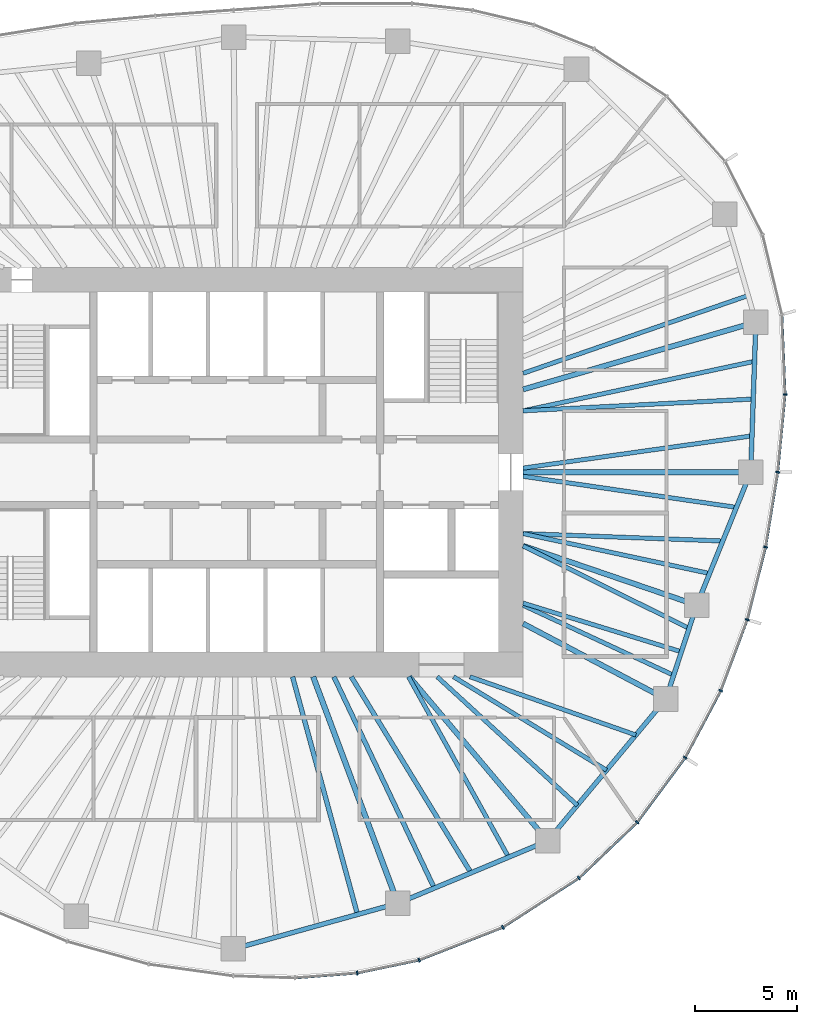
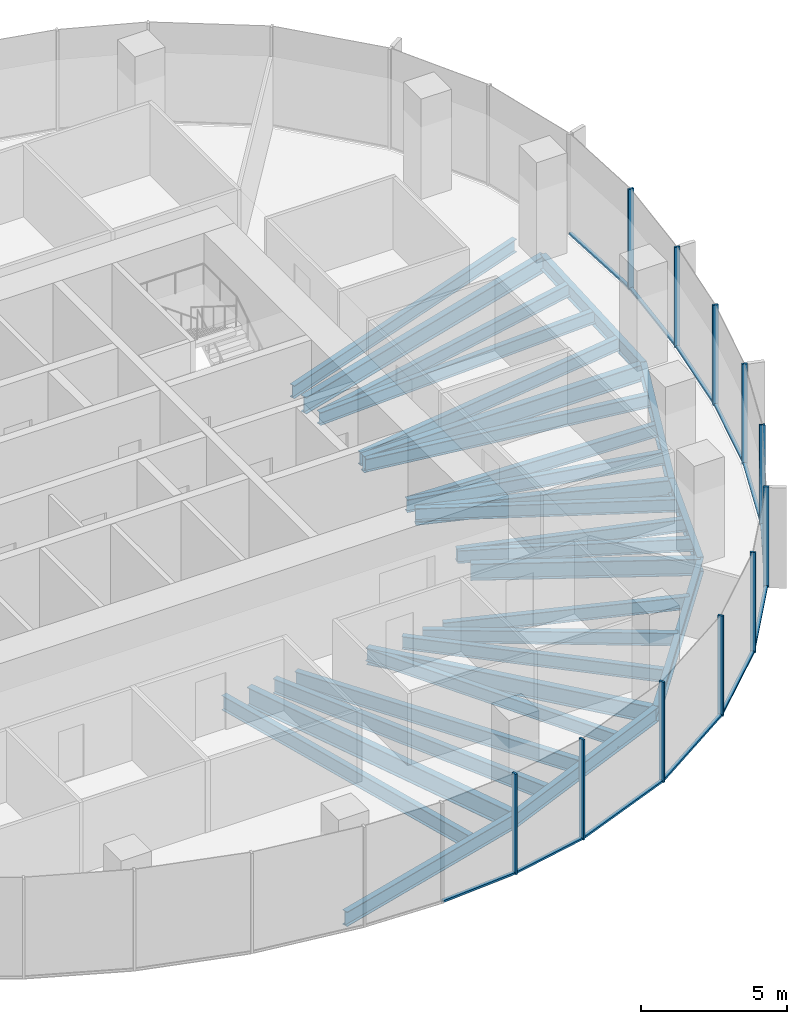
# One storey, part 4 of 12: 29 beams, 23 members, 6 elements without a shape of their own.
"""IFC4 building model written with IfcOpenShell, lengths in metres."""

from ifc_helpers import new_model, si_unit, direction, frame, origin, origin_2d, place, context, subcontext, project, spatial, rectangle, i_section, extrude, material, material_profile, profile_set, type_object, element, aggregate, save


model = new_model("IFC4")

# Units and contexts
model_context = context("Model", 3, precision=1e-05, world=origin(), true_north=direction((0.0, 1.0)))
body_context = subcontext(model_context, "Body", "Model", "MODEL_VIEW")
ifc_project = project(units=[si_unit("LENGTHUNIT", "METRE"), si_unit("AREAUNIT", "SQUARE_METRE"), si_unit("VOLUMEUNIT", "CUBIC_METRE"), si_unit("PLANEANGLEUNIT", "RADIAN"), si_unit("MASSUNIT", "GRAM", prefix="KILO")], contexts=[model_context])

# Site, building, storey
site_placement = place(None, origin())
site = spatial("IfcSite", under=ifc_project, at=site_placement, CompositionType="ELEMENT")
building_placement = place(site_placement, origin())
building = spatial("IfcBuilding", under=site, at=building_placement, Name="Ghaith Harvest Tower", CompositionType="ELEMENT")
storey_placement = place(building_placement, frame((0.0, 0.0, 253.60009765625)))
storey = spatial("IfcBuildingStorey", under=building, at=storey_placement, Name="L56", CompositionType="ELEMENT", Elevation=253.60009765625)

# Curtain wall, members
ifc_material_1 = material(Name="Black anodised aluminium and fritted glass", Category="aluminium")
curtain_wall_type = type_object("IfcCurtainWallType", Name="CW-H CURTAIN WALL", PredefinedType="NOTDEFINED", material=ifc_material_1)
curtain_wall_1_placement = place(storey_placement, origin())
curtain_wall_1 = element("IfcCurtainWall", 1, at=curtain_wall_1_placement, inside=storey, type_object=curtain_wall_type, Name="Curtain wall CW-H bay 01 L56", PredefinedType="NOTDEFINED")
ifc_material_2 = material(Name="Aluminium, black anodised", Category="aluminium")
ifc_material_profile_1 = material_profile(ifc_material_2, rectangle(XDim=0.080078125, YDim=0.199951171875, at=origin_2d()), Name="CW-H MULLION 80x200")
ifc_profile_set_1 = profile_set([ifc_material_profile_1], Name="Aluminium, black anodised")
member_type_1 = type_object("IfcMemberType", Name="CW-H MULLION 80x200", PredefinedType="MULLION", material=ifc_profile_set_1)
member_1_placement = place(storey_placement, frame((26.445068359375, 0.0, 0.0), z_axis=(0.0, 0.0, 1.0), x_axis=(0.126567624553, 0.991957981174, 0.0)))
member_1 = element("IfcMember", 2, at=member_1_placement, type_object=member_type_1, Name="CW-H mullion 1 bay 01 L56", PredefinedType="MULLION", context=body_context, shape_type="SweptSolid", body=[
    extrude(rectangle(XDim=0.080078125, YDim=0.199951171875, at=origin_2d()), origin(), (0.0, 0.0, 1.0), 4.199951171875),
])
member_2_placement = place(storey_placement, frame((26.804443359375, 3.7958984375, 0.0), z_axis=(0.0, 0.0, 1.0), x_axis=(0.026142797814, 0.999658218654, 0.0)))
member_2 = element("IfcMember", 3, at=member_2_placement, type_object=member_type_1, Name="CW-H mullion 2 bay 01 L56", PredefinedType="MULLION", context=body_context, shape_type="SweptSolid", body=[
    extrude(rectangle(XDim=0.080078125, YDim=0.199951171875, at=origin_2d()), origin(), (0.0, 0.0, 1.0), 4.199951171875),
])

# Curtain wall, member
curtain_wall_2_placement = place(storey_placement, origin())
curtain_wall_2 = element("IfcCurtainWall", 4, at=curtain_wall_2_placement, inside=storey, type_object=curtain_wall_type, Name="Curtain wall CW-H bay 16 L56", PredefinedType="NOTDEFINED")
member_3_placement = place(storey_placement, frame((5.893310546875, -24.48291015625, 0.0), z_axis=(0.0, 0.0, 1.0), x_axis=(0.989849191496, 0.142121701704, 0.0)))
member_3 = element("IfcMember", 5, at=member_3_placement, type_object=member_type_1, Name="CW-H mullion 3 bay 16 L56", PredefinedType="MULLION", context=body_context, shape_type="SweptSolid", body=[
    extrude(rectangle(XDim=0.080078125, YDim=0.199951171875, at=origin_2d()), origin(), (0.0, 0.0, 1.0), 4.199951171875),
])

# Curtain wall, members
curtain_wall_3_placement = place(storey_placement, origin())
curtain_wall_3 = element("IfcCurtainWall", 6, at=curtain_wall_3_placement, inside=storey, type_object=curtain_wall_type, Name="Curtain wall CW-H bay 17 L56", PredefinedType="NOTDEFINED")
member_4_placement = place(storey_placement, frame((8.916015625, -23.85009765625, 0.0), z_axis=(0.0, 0.0, 1.0), x_axis=(0.954029934434, 0.299711334793, 0.0)))
member_4 = element("IfcMember", 7, at=member_4_placement, type_object=member_type_1, Name="CW-H mullion 1 bay 17 L56", PredefinedType="MULLION", context=body_context, shape_type="SweptSolid", body=[
    extrude(rectangle(XDim=0.080078125, YDim=0.199951171875, at=origin_2d()), origin(), (0.0, 0.0, 1.0), 4.199951171875),
])
member_5_placement = place(storey_placement, frame((13.010009765625, -22.2470703125, 0.0), z_axis=(0.0, 0.0, 1.0), x_axis=(0.889568363425, 0.456802065225, 0.0)))
member_5 = element("IfcMember", 8, at=member_5_placement, type_object=member_type_1, Name="CW-H mullion 2 bay 17 L56", PredefinedType="MULLION", context=body_context, shape_type="SweptSolid", body=[
    extrude(rectangle(XDim=0.080078125, YDim=0.199951171875, at=origin_2d()), origin(), (0.0, 0.0, 1.0), 4.199951171875),
])

curtain_wall_4_placement = place(storey_placement, origin())
curtain_wall_4 = element("IfcCurtainWall", 9, at=curtain_wall_4_placement, inside=storey, type_object=curtain_wall_type, Name="Curtain wall CW-H bay 18 L56", PredefinedType="NOTDEFINED")
member_6_placement = place(storey_placement, frame((16.72900390625, -19.838134765625, 0.0), z_axis=(0.0, 0.0, 1.0), x_axis=(0.78784554071, 0.615872879727, 0.0)))
member_6 = element("IfcMember", 10, at=member_6_placement, type_object=member_type_1, Name="CW-H mullion 1 bay 18 L56", PredefinedType="MULLION", context=body_context, shape_type="SweptSolid", body=[
    extrude(rectangle(XDim=0.080078125, YDim=0.199951171875, at=origin_2d()), origin(), (0.0, 0.0, 1.0), 4.199951171875),
])
member_7_placement = place(storey_placement, frame((19.57421875, -17.11572265625, 0.0), z_axis=(0.0, 0.0, 1.0), x_axis=(0.661614965695, 0.749843741835, 0.0)))
member_7 = element("IfcMember", 11, at=member_7_placement, type_object=member_type_1, Name="CW-H mullion 2 bay 18 L56", PredefinedType="MULLION", context=body_context, shape_type="SweptSolid", body=[
    extrude(rectangle(XDim=0.080078125, YDim=0.199951171875, at=origin_2d()), origin(), (0.0, 0.0, 1.0), 4.199951171875),
])

curtain_wall_5_placement = place(storey_placement, origin())
curtain_wall_5 = element("IfcCurtainWall", 12, at=curtain_wall_5_placement, inside=storey, type_object=curtain_wall_type, Name="Curtain wall CW-H bay 19 L56", PredefinedType="NOTDEFINED")
member_8_placement = place(storey_placement, frame((21.922607421875, -13.951904296875, 0.0), z_axis=(0.0, 0.0, 1.0), x_axis=(0.535827198032, 0.844327669717, 0.0)))
member_8 = element("IfcMember", 13, at=member_8_placement, type_object=member_type_1, Name="CW-H mullion 1 bay 19 L56", PredefinedType="MULLION", context=body_context, shape_type="SweptSolid", body=[
    extrude(rectangle(XDim=0.080078125, YDim=0.199951171875, at=origin_2d()), origin(), (0.0, 0.0, 1.0), 4.199951171875),
])
member_9_placement = place(storey_placement, frame((23.658203125, -10.680419921875, 0.0), z_axis=(0.0, 0.0, 1.0), x_axis=(0.410429862351, 0.911892169114, 0.0)))
member_9 = element("IfcMember", 14, at=member_9_placement, type_object=member_type_1, Name="CW-H mullion 2 bay 19 L56", PredefinedType="MULLION", context=body_context, shape_type="SweptSolid", body=[
    extrude(rectangle(XDim=0.080078125, YDim=0.199951171875, at=origin_2d()), origin(), (0.0, 0.0, 1.0), 4.199951171875),
])

curtain_wall_6_placement = place(storey_placement, origin())
curtain_wall_6 = element("IfcCurtainWall", 15, at=curtain_wall_6_placement, inside=storey, type_object=curtain_wall_type, Name="Curtain wall CW-H bay 20 L56", PredefinedType="NOTDEFINED")
member_10_placement = place(storey_placement, frame((24.955810546875, -7.212890625, 0.0), z_axis=(0.0, 0.0, 1.0), x_axis=(0.298441625478, 0.954427889462, 0.0)))
member_10 = element("IfcMember", 16, at=member_10_placement, type_object=member_type_1, Name="CW-H mullion 1 bay 20 L56", PredefinedType="MULLION", context=body_context, shape_type="SweptSolid", body=[
    extrude(rectangle(XDim=0.080078125, YDim=0.199951171875, at=origin_2d()), origin(), (0.0, 0.0, 1.0), 4.199951171875),
])
member_11_placement = place(storey_placement, frame((25.85302734375, -3.6611328125, 0.0), z_axis=(0.0, 0.0, 1.0), x_axis=(0.202192370647, 0.979345825157, 0.0)))
member_11 = element("IfcMember", 17, at=member_11_placement, type_object=member_type_1, Name="CW-H mullion 2 bay 20 L56", PredefinedType="MULLION", context=body_context, shape_type="SweptSolid", body=[
    extrude(rectangle(XDim=0.080078125, YDim=0.199951171875, at=origin_2d()), origin(), (0.0, 0.0, 1.0), 4.199951171875),
])

# Member
ifc_material_3 = material(Name="Aluminium, black anodised", Category="aluminium")
ifc_material_profile_2 = material_profile(ifc_material_3, rectangle(XDim=0.1298828125, YDim=0.080078125, at=origin_2d()), Name="CW-H TRANSOM 130x80")
ifc_profile_set_2 = profile_set([ifc_material_profile_2], Name="Aluminium, black anodised")
member_type_2 = type_object("IfcMemberType", Name="CW-H TRANSOM 130x80", PredefinedType="USERDEFINED", material=ifc_profile_set_2)
member_12_placement = place(storey_placement, frame((26.44873046875, 0.039794921875, 0.039794921875), z_axis=(0.094309089207, 0.995542965267, 0.0), x_axis=(-0.995542965267, 0.094309089207, 0.0)))
member_12 = element("IfcMember", 18, at=member_12_placement, type_object=member_type_2, Name="CW-H transom 1 bay 01 L56", ObjectType="TRANSOM", PredefinedType="USERDEFINED", context=body_context, shape_type="SweptSolid", body=[
    extrude(rectangle(XDim=0.1298828125, YDim=0.080078125, at=origin_2d()), origin(), (0.0, 0.0, 1.0), 3.73291015625),
])

member_13_placement = place(storey_placement, frame((26.802978515625, 3.8359375, 0.039794921875), z_axis=(-0.040492641284, 0.999179836667, 0.0), x_axis=(-0.999179836667, -0.040492641284, 0.0)))
member_13 = element("IfcMember", 19, at=member_13_placement, type_object=member_type_2, Name="CW-H transom 2 bay 01 L56", ObjectType="TRANSOM", PredefinedType="USERDEFINED", context=body_context, shape_type="SweptSolid", body=[
    extrude(rectangle(XDim=0.1298828125, YDim=0.080078125, at=origin_2d()), origin(), (0.0, 0.0, 1.0), 3.82861328125),
])

aggregate(curtain_wall_1, [member_1, member_12, member_2, member_13])

member_14_placement = place(storey_placement, frame((2.8876953125, -24.71826171875, 0.039794921875), z_axis=(0.996949781933, 0.078045706505, 0.0), x_axis=(-0.078045706505, 0.996949781933, 0.0)))
member_14 = element("IfcMember", 20, at=member_14_placement, type_object=member_type_2, Name="CW-H transom 2 bay 16 L56", ObjectType="TRANSOM", PredefinedType="USERDEFINED", context=body_context, shape_type="SweptSolid", body=[
    extrude(rectangle(XDim=0.1298828125, YDim=0.080078125, at=origin_2d()), origin(), (0.0, 0.0, 1.0), 2.974853515625),
])

member_15_placement = place(storey_placement, frame((5.932373046875, -24.474609375, 0.039794921875), z_axis=(0.978797058213, 0.204832416461, 0.0), x_axis=(-0.204832416461, 0.978797058213, 0.0)))
member_15 = element("IfcMember", 21, at=member_15_placement, type_object=member_type_2, Name="CW-H transom 3 bay 16 L56", ObjectType="TRANSOM", PredefinedType="USERDEFINED", context=body_context, shape_type="SweptSolid", body=[
    extrude(rectangle(XDim=0.1298828125, YDim=0.080078125, at=origin_2d()), origin(), (0.0, 0.0, 1.0), 3.00830078125),
])

aggregate(curtain_wall_2, [member_14, member_3, member_15])

member_16_placement = place(storey_placement, frame((8.953369140625, -23.835693359375, 0.039794921875), z_axis=(0.931147615871, 0.364642451529, 0.0), x_axis=(-0.364642451529, 0.931147615871, 0.0)))
member_16 = element("IfcMember", 22, at=member_16_placement, type_object=member_type_2, Name="CW-H transom 1 bay 17 L56", ObjectType="TRANSOM", PredefinedType="USERDEFINED", context=body_context, shape_type="SweptSolid", body=[
    extrude(rectangle(XDim=0.1298828125, YDim=0.080078125, at=origin_2d()), origin(), (0.0, 0.0, 1.0), 4.31640625),
])

member_17_placement = place(storey_placement, frame((13.04345703125, -22.225341796875, 0.039794921875), z_axis=(0.839306610985, 0.543658360331, 0.0), x_axis=(-0.543658360331, 0.839306610985, 0.0)))
member_17 = element("IfcMember", 23, at=member_17_placement, type_object=member_type_2, Name="CW-H transom 2 bay 17 L56", ObjectType="TRANSOM", PredefinedType="USERDEFINED", context=body_context, shape_type="SweptSolid", body=[
    extrude(rectangle(XDim=0.1298828125, YDim=0.080078125, at=origin_2d()), origin(), (0.0, 0.0, 1.0), 4.35107421875),
])

aggregate(curtain_wall_3, [member_4, member_16, member_5, member_17])

member_18_placement = place(storey_placement, frame((16.7578125, -19.810546875, 0.039794921875), z_axis=(0.722533278657, 0.691336141998, 0.0), x_axis=(-0.691336141998, 0.722533278657, 0.0)))
member_18 = element("IfcMember", 24, at=member_18_placement, type_object=member_type_2, Name="CW-H transom 1 bay 18 L56", ObjectType="TRANSOM", PredefinedType="USERDEFINED", context=body_context, shape_type="SweptSolid", body=[
    extrude(rectangle(XDim=0.1298828125, YDim=0.080078125, at=origin_2d()), origin(), (0.0, 0.0, 1.0), 3.858154296875),
])

member_19_placement = place(storey_placement, frame((19.59814453125, -17.083740234375, 0.039794921875), z_axis=(0.595995597074, 0.802987701194, 0.0), x_axis=(-0.802987701194, 0.595995597074, 0.0)))
member_19 = element("IfcMember", 25, at=member_19_placement, type_object=member_type_2, Name="CW-H transom 2 bay 18 L56", ObjectType="TRANSOM", PredefinedType="USERDEFINED", context=body_context, shape_type="SweptSolid", body=[
    extrude(rectangle(XDim=0.1298828125, YDim=0.080078125, at=origin_2d()), origin(), (0.0, 0.0, 1.0), 3.8603515625),
])

aggregate(curtain_wall_4, [member_6, member_18, member_7, member_19])

member_20_placement = place(storey_placement, frame((21.94140625, -13.91650390625, 0.039794921875), z_axis=(0.468646057757, 0.883386026915, 0.0), x_axis=(-0.883386026915, 0.468646057757, 0.0)))
member_20 = element("IfcMember", 26, at=member_20_placement, type_object=member_type_2, Name="CW-H transom 1 bay 19 L56", ObjectType="TRANSOM", PredefinedType="USERDEFINED", context=body_context, shape_type="SweptSolid", body=[
    extrude(rectangle(XDim=0.1298828125, YDim=0.080078125, at=origin_2d()), origin(), (0.0, 0.0, 1.0), 3.623291015625),
])

member_21_placement = place(storey_placement, frame((23.672119140625, -10.64306640625, 0.039794921875), z_axis=(0.350510368091, 0.936558851253, 0.0), x_axis=(-0.936558851253, 0.350510368091, 0.0)))
member_21 = element("IfcMember", 27, at=member_21_placement, type_object=member_type_2, Name="CW-H transom 2 bay 19 L56", ObjectType="TRANSOM", PredefinedType="USERDEFINED", context=body_context, shape_type="SweptSolid", body=[
    extrude(rectangle(XDim=0.1298828125, YDim=0.080078125, at=origin_2d()), origin(), (0.0, 0.0, 1.0), 3.62255859375),
])

aggregate(curtain_wall_5, [member_8, member_20, member_9, member_21])

member_22_placement = place(storey_placement, frame((24.965576171875, -7.174072265625, 0.039794921875), z_axis=(0.244939588347, 0.969538342749, 0.0), x_axis=(-0.969538342749, 0.244939588347, 0.0)))
member_22 = element("IfcMember", 28, at=member_22_placement, type_object=member_type_2, Name="CW-H transom 1 bay 20 L56", ObjectType="TRANSOM", PredefinedType="USERDEFINED", context=body_context, shape_type="SweptSolid", body=[
    extrude(rectangle(XDim=0.1298828125, YDim=0.080078125, at=origin_2d()), origin(), (0.0, 0.0, 1.0), 3.583251953125),
])

member_23_placement = place(storey_placement, frame((25.859375, -3.62158203125, 0.039794921875), z_axis=(0.159661845696, 0.987171765717, 0.0), x_axis=(-0.987171765717, 0.159661845696, 0.0)))
member_23 = element("IfcMember", 29, at=member_23_placement, type_object=member_type_2, Name="CW-H transom 2 bay 20 L56", ObjectType="TRANSOM", PredefinedType="USERDEFINED", context=body_context, shape_type="SweptSolid", body=[
    extrude(rectangle(XDim=0.1298828125, YDim=0.080078125, at=origin_2d()), origin(), (0.0, 0.0, 1.0), 3.628662109375),
])

aggregate(curtain_wall_6, [member_10, member_22, member_11, member_23])

# Beams
ifc_material_4 = material(Name="Steel ASTM A992 Grade 50", Category="steel")
ifc_material_profile_3 = material_profile(ifc_material_4, i_section(OverallWidth=0.22900390625, OverallDepth=0.612060546875, WebThickness=0.011962890625, FlangeThickness=0.01953125, at=origin_2d()), Name="W610X125")
ifc_profile_set_3 = profile_set([ifc_material_profile_3], Name="Steel ASTM A992 Grade 50")
beam_type_1 = type_object("IfcBeamType", Name="E610-125 W610X125", PredefinedType="SPANDREL", material=ifc_profile_set_3)
beam_1_placement = place(storey_placement, frame((25.125, 0.0, -0.47607421875), z_axis=(0.03446227584, 0.999405999354, 0.0), x_axis=(-0.999405999354, 0.03446227584, 0.0)))
element("IfcBeam", 30, at=beam_1_placement, inside=storey, type_object=beam_type_1, Name="Edge beam E01 L56", PredefinedType="SPANDREL", context=body_context, shape_type="SweptSolid", body=[
    extrude(i_section(OverallWidth=0.22900390625, OverallDepth=0.612060546875, WebThickness=0.011962890625, FlangeThickness=0.01953125, at=origin_2d()), origin(), (0.0, 0.0, 1.0), 7.33935546875),
])
beam_2_placement = place(storey_placement, frame((-0.158935546875, -23.304931640625, -0.47607421875), z_axis=(0.963504070594, 0.267693679323, 0.0), x_axis=(-0.267693679323, 0.963504070594, 0.0)))
element("IfcBeam", 31, at=beam_2_placement, inside=storey, type_object=beam_type_1, Name="Edge beam E16 L56", PredefinedType="SPANDREL", context=body_context, shape_type="SweptSolid", body=[
    extrude(i_section(OverallWidth=0.22900390625, OverallDepth=0.612060546875, WebThickness=0.011962890625, FlangeThickness=0.01953125, at=origin_2d()), origin(), (0.0, 0.0, 1.0), 8.34130859375),
])
beam_3_placement = place(storey_placement, frame((7.8779296875, -21.072021484375, -0.47607421875), z_axis=(0.923119729219, 0.384512633766, 0.0), x_axis=(-0.384512633766, 0.923119729219, 0.0)))
element("IfcBeam", 32, at=beam_3_placement, inside=storey, type_object=beam_type_1, Name="Edge beam E17 L56", PredefinedType="SPANDREL", context=body_context, shape_type="SweptSolid", body=[
    extrude(i_section(OverallWidth=0.22900390625, OverallDepth=0.612060546875, WebThickness=0.011962890625, FlangeThickness=0.01953125, at=origin_2d()), origin(), (0.0, 0.0, 1.0), 7.9296875),
])
beam_4_placement = place(storey_placement, frame((15.197998046875, -18.02294921875, -0.47607421875), z_axis=(0.640173759088, 0.76823014662, 0.0), x_axis=(-0.76823014662, 0.640173759088, 0.0)))
element("IfcBeam", 33, at=beam_4_placement, inside=storey, type_object=beam_type_1, Name="Edge beam E18 L56", PredefinedType="SPANDREL", context=body_context, shape_type="SweptSolid", body=[
    extrude(i_section(OverallWidth=0.22900390625, OverallDepth=0.612060546875, WebThickness=0.011962890625, FlangeThickness=0.01953125, at=origin_2d()), origin(), (0.0, 0.0, 1.0), 9.02734375),
])
beam_5_placement = place(storey_placement, frame((20.97705078125, -11.087890625, -0.47607421875), z_axis=(0.312206727278, 0.950014189074, 0.0), x_axis=(-0.950014189074, 0.312206727278, 0.0)))
element("IfcBeam", 34, at=beam_5_placement, inside=storey, type_object=beam_type_1, Name="Edge beam E19 L56", PredefinedType="SPANDREL", context=body_context, shape_type="SweptSolid", body=[
    extrude(i_section(OverallWidth=0.22900390625, OverallDepth=0.612060546875, WebThickness=0.011962890625, FlangeThickness=0.01953125, at=origin_2d()), origin(), (0.0, 0.0, 1.0), 4.830322265625),
])
beam_6_placement = place(storey_placement, frame((22.485107421875, -6.4990234375, -0.47607421875), z_axis=(0.376335970246, 0.926483263475, 0.0), x_axis=(-0.926483263475, 0.376335970246, 0.0)))
element("IfcBeam", 35, at=beam_6_placement, inside=storey, type_object=beam_type_1, Name="Edge beam E20 L56", PredefinedType="SPANDREL", context=body_context, shape_type="SweptSolid", body=[
    extrude(i_section(OverallWidth=0.22900390625, OverallDepth=0.612060546875, WebThickness=0.011962890625, FlangeThickness=0.01953125, at=origin_2d()), origin(), (0.0, 0.0, 1.0), 7.0146484375),
])
ifc_material_5 = material(Name="Steel ASTM A992 Grade 50", Category="steel")
ifc_material_profile_4 = material_profile(ifc_material_5, i_section(OverallWidth=0.256103515625, OverallDepth=0.693115234375, WebThickness=0.014404296875, FlangeThickness=0.023681640625, at=origin_2d()), Name="W690X170")
ifc_profile_set_4 = profile_set([ifc_material_profile_4], Name="Steel ASTM A992 Grade 50")
beam_type_2 = type_object("IfcBeamType", Name="G690-170 W690X170", PredefinedType="BEAM", material=ifc_profile_set_4)
beam_7_placement = place(storey_placement, frame((14.0, 0.0, -0.5166015625), z_axis=(1.0, 0.0, 0.0), x_axis=(0.0, 1.0, 0.0)))
element("IfcBeam", 36, at=beam_7_placement, inside=storey, type_object=beam_type_2, Name="Radial girder G01 L56", PredefinedType="BEAM", context=body_context, shape_type="SweptSolid", body=[
    extrude(i_section(OverallWidth=0.256103515625, OverallDepth=0.693115234375, WebThickness=0.014404296875, FlangeThickness=0.023681640625, at=origin_2d()), origin(), (0.0, 0.0, 1.0), 11.125),
])
beam_8_placement = place(storey_placement, frame((14.0, 4.04638671875, -0.5166015625), z_axis=(0.960677776578, 0.277665643518, 0.0), x_axis=(-0.277665643518, 0.960677776578, 0.0)))
element("IfcBeam", 37, at=beam_8_placement, inside=storey, type_object=beam_type_2, Name="Radial girder G02 L56", PredefinedType="BEAM", context=body_context, shape_type="SweptSolid", body=[
    extrude(i_section(OverallWidth=0.256103515625, OverallDepth=0.693115234375, WebThickness=0.014404296875, FlangeThickness=0.023681640625, at=origin_2d()), origin(), (0.0, 0.0, 1.0), 11.84375),
])
beam_9_placement = place(storey_placement, frame((8.4326171875, -10.0, -0.5166015625), z_axis=(0.644649240595, -0.764478486682, 0.0), x_axis=(0.764478486682, 0.644649240595, 0.0)))
element("IfcBeam", 38, at=beam_9_placement, inside=storey, type_object=beam_type_2, Name="Radial girder G18 L56", PredefinedType="BEAM", context=body_context, shape_type="SweptSolid", body=[
    extrude(i_section(OverallWidth=0.256103515625, OverallDepth=0.693115234375, WebThickness=0.014404296875, FlangeThickness=0.023681640625, at=origin_2d()), origin(), (0.0, 0.0, 1.0), 10.49462890625),
])
beam_10_placement = place(storey_placement, frame((14.0, -7.39990234375, -0.5166015625), z_axis=(0.884088732293, -0.467319070264, 0.0), x_axis=(0.467319070264, 0.884088732293, 0.0)))
element("IfcBeam", 39, at=beam_10_placement, inside=storey, type_object=beam_type_2, Name="Radial girder G19 L56", PredefinedType="BEAM", context=body_context, shape_type="SweptSolid", body=[
    extrude(i_section(OverallWidth=0.256103515625, OverallDepth=0.693115234375, WebThickness=0.014404296875, FlangeThickness=0.023681640625, at=origin_2d()), origin(), (0.0, 0.0, 1.0), 7.891845703125),
])
beam_11_placement = place(storey_placement, frame((14.0, -3.60009765625, -0.5166015625), z_axis=(0.94629622913, -0.323300861018, 0.0), x_axis=(0.323300861018, 0.94629622913, 0.0)))
element("IfcBeam", 40, at=beam_11_placement, inside=storey, type_object=beam_type_2, Name="Radial girder G20 L56", PredefinedType="BEAM", context=body_context, shape_type="SweptSolid", body=[
    extrude(i_section(OverallWidth=0.256103515625, OverallDepth=0.693115234375, WebThickness=0.014404296875, FlangeThickness=0.023681640625, at=origin_2d()), origin(), (0.0, 0.0, 1.0), 8.966552734375),
])
ifc_material_6 = material(Name="Steel ASTM A992 Grade 50", Category="steel")
ifc_material_profile_5 = material_profile(ifc_material_6, i_section(OverallWidth=0.26806640625, OverallDepth=0.77001953125, WebThickness=0.015625, FlangeThickness=0.025390625, at=origin_2d()), Name="W760X196")
ifc_profile_set_5 = profile_set([ifc_material_profile_5], Name="Steel ASTM A992 Grade 50")
beam_type_3 = type_object("IfcBeamType", Name="G760-196 W760X196", PredefinedType="BEAM", material=ifc_profile_set_5)
beam_12_placement = place(storey_placement, frame((3.73828125, -10.0, -0.55517578125), z_axis=(0.350206582147, -0.936672488024, 0.0), x_axis=(0.936672488024, 0.350206582147, 0.0)))
element("IfcBeam", 41, at=beam_12_placement, inside=storey, type_object=beam_type_3, Name="Radial girder G17 L56", PredefinedType="BEAM", context=body_context, shape_type="SweptSolid", body=[
    extrude(i_section(OverallWidth=0.26806640625, OverallDepth=0.77001953125, WebThickness=0.015625, FlangeThickness=0.025390625, at=origin_2d()), origin(), (0.0, 0.0, 1.0), 11.820556640625),
])
ifc_material_7 = material(Name="Steel ASTM A992 Grade 50", Category="steel")
ifc_material_profile_6 = material_profile(ifc_material_7, i_section(OverallWidth=0.2109375, OverallDepth=0.5390625, WebThickness=0.01171875, FlangeThickness=0.018798828125, at=origin_2d()), Name="W530X109")
ifc_profile_set_6 = profile_set([ifc_material_profile_6], Name="Steel ASTM A992 Grade 50")
beam_type_4 = type_object("IfcBeamType", Name="J530-109 W530X109", PredefinedType="JOIST", material=ifc_profile_set_6)
beam_13_placement = place(storey_placement, frame((14.0, 0.199951171875, -0.439697265625), z_axis=(0.990239574724, 0.139375696052, 0.0), x_axis=(-0.139375696052, 0.990239574724, 0.0)))
element("IfcBeam", 42, at=beam_13_placement, inside=storey, type_object=beam_type_4, Name="Joist J01.1 L56", PredefinedType="JOIST", context=body_context, shape_type="SweptSolid", body=[
    extrude(i_section(OverallWidth=0.2109375, OverallDepth=0.5390625, WebThickness=0.01171875, FlangeThickness=0.018798828125, at=origin_2d()), origin(), (0.0, 0.0, 1.0), 11.296630859375),
])
beam_14_placement = place(storey_placement, frame((14.0, 3.0, -0.439697265625), z_axis=(0.998693995267, 0.051091132482, 0.0), x_axis=(-0.051091132482, 0.998693995267, 0.0)))
element("IfcBeam", 43, at=beam_14_placement, inside=storey, type_object=beam_type_4, Name="Joist J01.2 L56", PredefinedType="JOIST", context=body_context, shape_type="SweptSolid", body=[
    extrude(i_section(OverallWidth=0.2109375, OverallDepth=0.5390625, WebThickness=0.01171875, FlangeThickness=0.018798828125, at=origin_2d()), origin(), (0.0, 0.0, 1.0), 11.262939453125),
])
beam_15_placement = place(storey_placement, frame((14.0, 3.0, -0.439697265625), z_axis=(0.977840076912, 0.209353251672, 0.0), x_axis=(-0.209353251672, 0.977840076912, 0.0)))
element("IfcBeam", 44, at=beam_15_placement, inside=storey, type_object=beam_type_4, Name="Joist J01.3 L56", PredefinedType="JOIST", context=body_context, shape_type="SweptSolid", body=[
    extrude(i_section(OverallWidth=0.2109375, OverallDepth=0.5390625, WebThickness=0.01171875, FlangeThickness=0.018798828125, at=origin_2d()), origin(), (0.0, 0.0, 1.0), 11.568359375),
])
beam_16_placement = place(storey_placement, frame((14.0, 4.835693359375, -0.439697265625), z_axis=(0.945202328042, 0.326485159025, 0.0), x_axis=(-0.326485159025, 0.945202328042, 0.0)))
element("IfcBeam", 45, at=beam_16_placement, inside=storey, type_object=beam_type_4, Name="Joist J02.1 L56", PredefinedType="JOIST", context=body_context, shape_type="SweptSolid", body=[
    extrude(i_section(OverallWidth=0.2109375, OverallDepth=0.5390625, WebThickness=0.01171875, FlangeThickness=0.018798828125, at=origin_2d()), origin(), (0.0, 0.0, 1.0), 11.63916015625),
])
beam_17_placement = place(storey_placement, frame((8.39990234375, -10.0, -0.439697265625), z_axis=(0.484919107871, -0.874559008199, 0.0), x_axis=(0.874559008199, 0.484919107871, 0.0)))
element("IfcBeam", 46, at=beam_17_placement, inside=storey, type_object=beam_type_4, Name="Joist J17.3 L56", PredefinedType="JOIST", context=body_context, shape_type="SweptSolid", body=[
    extrude(i_section(OverallWidth=0.2109375, OverallDepth=0.5390625, WebThickness=0.01171875, FlangeThickness=0.018798828125, at=origin_2d()), origin(), (0.0, 0.0, 1.0), 10.0830078125),
])
beam_18_placement = place(storey_placement, frame((9.800048828125, -10.0, -0.439697265625), z_axis=(0.736998187228, -0.675894719629, 0.0), x_axis=(0.675894719629, 0.736998187228, 0.0)))
element("IfcBeam", 47, at=beam_18_placement, inside=storey, type_object=beam_type_4, Name="Joist J18.1 L56", PredefinedType="JOIST", context=body_context, shape_type="SweptSolid", body=[
    extrude(i_section(OverallWidth=0.2109375, OverallDepth=0.5390625, WebThickness=0.01171875, FlangeThickness=0.018798828125, at=origin_2d()), origin(), (0.0, 0.0, 1.0), 9.293701171875),
])
beam_19_placement = place(storey_placement, frame((14.0, -3.0, -0.439697265625), z_axis=(0.977841497168, -0.209346617877, 0.0), x_axis=(0.209346617877, 0.977841497168, 0.0)))
element("IfcBeam", 48, at=beam_19_placement, inside=storey, type_object=beam_type_4, Name="Joist J20.1 L56", PredefinedType="JOIST", context=body_context, shape_type="SweptSolid", body=[
    extrude(i_section(OverallWidth=0.2109375, OverallDepth=0.5390625, WebThickness=0.01171875, FlangeThickness=0.018798828125, at=origin_2d()), origin(), (0.0, 0.0, 1.0), 9.3203125),
])
beam_20_placement = place(storey_placement, frame((14.0, -3.0, -0.439697265625), z_axis=(0.999303105315, -0.037326983644, 0.0), x_axis=(0.037326983644, 0.999303105315, 0.0)))
element("IfcBeam", 49, at=beam_20_placement, inside=storey, type_object=beam_type_4, Name="Joist J20.2 L56", PredefinedType="JOIST", context=body_context, shape_type="SweptSolid", body=[
    extrude(i_section(OverallWidth=0.2109375, OverallDepth=0.5390625, WebThickness=0.01171875, FlangeThickness=0.018798828125, at=origin_2d()), origin(), (0.0, 0.0, 1.0), 9.76513671875),
])
beam_21_placement = place(storey_placement, frame((14.0, -0.199951171875, -0.439697265625), z_axis=(0.989525259022, -0.144359834294, 0.0), x_axis=(0.144359834294, 0.989525259022, 0.0)))
element("IfcBeam", 50, at=beam_21_placement, inside=storey, type_object=beam_type_4, Name="Joist J20.3 L56", PredefinedType="JOIST", context=body_context, shape_type="SweptSolid", body=[
    extrude(i_section(OverallWidth=0.2109375, OverallDepth=0.5390625, WebThickness=0.01171875, FlangeThickness=0.018798828125, at=origin_2d()), origin(), (0.0, 0.0, 1.0), 10.5361328125),
])
ifc_material_8 = material(Name="Steel ASTM A992 Grade 50", Category="steel")
ifc_material_profile_7 = material_profile(ifc_material_8, i_section(OverallWidth=0.208984375, OverallDepth=0.532958984375, WebThickness=0.01025390625, FlangeThickness=0.015625, at=origin_2d()), Name="W530X92")
ifc_profile_set_7 = profile_set([ifc_material_profile_7], Name="Steel ASTM A992 Grade 50")
beam_type_5 = type_object("IfcBeamType", Name="J530-92 W530X92", PredefinedType="JOIST", material=ifc_profile_set_7)
beam_22_placement = place(storey_placement, frame((10.60009765625, -10.0, -0.4365234375), z_axis=(0.853467052113, -0.521146803654, 0.0), x_axis=(0.521146803654, 0.853467052113, 0.0)))
element("IfcBeam", 51, at=beam_22_placement, inside=storey, type_object=beam_type_5, Name="Joist J18.2 L56", PredefinedType="JOIST", context=body_context, shape_type="SweptSolid", body=[
    extrude(i_section(OverallWidth=0.208984375, OverallDepth=0.532958984375, WebThickness=0.01025390625, FlangeThickness=0.015625, at=origin_2d()), origin(), (0.0, 0.0, 1.0), 8.76220703125),
])
beam_23_placement = place(storey_placement, frame((11.39990234375, -10.0, -0.4365234375), z_axis=(0.943605274188, -0.331072630285, 0.0), x_axis=(0.331072630285, 0.943605274188, 0.0)))
element("IfcBeam", 52, at=beam_23_placement, inside=storey, type_object=beam_type_5, Name="Joist J18.3 L56", PredefinedType="JOIST", context=body_context, shape_type="SweptSolid", body=[
    extrude(i_section(OverallWidth=0.208984375, OverallDepth=0.532958984375, WebThickness=0.01025390625, FlangeThickness=0.015625, at=origin_2d()), origin(), (0.0, 0.0, 1.0), 8.596923828125),
])
beam_24_placement = place(storey_placement, frame((14.0, -6.506103515625, -0.4365234375), z_axis=(0.906865270415, -0.421420670251, 0.0), x_axis=(0.421420670251, 0.906865270415, 0.0)))
element("IfcBeam", 53, at=beam_24_placement, inside=storey, type_object=beam_type_5, Name="Joist J19.1 L56", PredefinedType="JOIST", context=body_context, shape_type="SweptSolid", body=[
    extrude(i_section(OverallWidth=0.208984375, OverallDepth=0.532958984375, WebThickness=0.01025390625, FlangeThickness=0.015625, at=origin_2d()), origin(), (0.0, 0.0, 1.0), 8.11474609375),
])
beam_25_placement = place(storey_placement, frame((14.0, -6.39990234375, -0.4365234375), z_axis=(0.955870927609, -0.293786946192, 0.0), x_axis=(0.293786946192, 0.955870927609, 0.0)))
element("IfcBeam", 54, at=beam_25_placement, inside=storey, type_object=beam_type_5, Name="Joist J19.2 L56", PredefinedType="JOIST", context=body_context, shape_type="SweptSolid", body=[
    extrude(i_section(OverallWidth=0.208984375, OverallDepth=0.532958984375, WebThickness=0.01025390625, FlangeThickness=0.015625, at=origin_2d()), origin(), (0.0, 0.0, 1.0), 8.09326171875),
])
beam_26_placement = place(storey_placement, frame((14.0, -3.60009765625, -0.4365234375), z_axis=(0.89523949078, -0.445585293909, 0.0), x_axis=(0.445585293909, 0.89523949078, 0.0)))
element("IfcBeam", 55, at=beam_26_placement, inside=storey, type_object=beam_type_5, Name="Joist J19.3 L56", PredefinedType="JOIST", context=body_context, shape_type="SweptSolid", body=[
    extrude(i_section(OverallWidth=0.208984375, OverallDepth=0.532958984375, WebThickness=0.01025390625, FlangeThickness=0.015625, at=origin_2d()), origin(), (0.0, 0.0, 1.0), 9.060302734375),
])
ifc_material_9 = material(Name="Steel ASTM A992 Grade 50", Category="steel")
ifc_material_profile_8 = material_profile(ifc_material_9, i_section(OverallWidth=0.22900390625, OverallDepth=0.612060546875, WebThickness=0.011962890625, FlangeThickness=0.01953125, at=origin_2d()), Name="W610X125")
ifc_profile_set_8 = profile_set([ifc_material_profile_8], Name="Steel ASTM A992 Grade 50")
beam_type_6 = type_object("IfcBeamType", Name="J610-125 W610X125", PredefinedType="JOIST", material=ifc_profile_set_8)
beam_27_placement = place(storey_placement, frame((2.73095703125, -10.0, -0.47607421875), z_axis=(0.263456947705, -0.964671154698, 0.0), x_axis=(0.964671154698, 0.263456947705, 0.0)))
element("IfcBeam", 56, at=beam_27_placement, inside=storey, type_object=beam_type_6, Name="Joist J16.3 L56", PredefinedType="JOIST", context=body_context, shape_type="SweptSolid", body=[
    extrude(i_section(OverallWidth=0.22900390625, OverallDepth=0.612060546875, WebThickness=0.011962890625, FlangeThickness=0.01953125, at=origin_2d()), origin(), (0.0, 0.0, 1.0), 12.0458984375),
])
beam_28_placement = place(storey_placement, frame((4.75, -10.0, -0.47607421875), z_axis=(0.429080762264, -0.90326612881, 0.0), x_axis=(0.90326612881, 0.429080762264, 0.0)))
element("IfcBeam", 57, at=beam_28_placement, inside=storey, type_object=beam_type_6, Name="Joist J17.1 L56", PredefinedType="JOIST", context=body_context, shape_type="SweptSolid", body=[
    extrude(i_section(OverallWidth=0.22900390625, OverallDepth=0.612060546875, WebThickness=0.011962890625, FlangeThickness=0.01953125, at=origin_2d()), origin(), (0.0, 0.0, 1.0), 11.437255859375),
])
beam_29_placement = place(storey_placement, frame((5.60009765625, -10.0, -0.47607421875), z_axis=(0.521165912119, -0.853455383746, 0.0), x_axis=(0.853455383746, 0.521165912119, 0.0)))
element("IfcBeam", 58, at=beam_29_placement, inside=storey, type_object=beam_type_6, Name="Joist J17.2 L56", PredefinedType="JOIST", context=body_context, shape_type="SweptSolid", body=[
    extrude(i_section(OverallWidth=0.22900390625, OverallDepth=0.612060546875, WebThickness=0.011962890625, FlangeThickness=0.01953125, at=origin_2d()), origin(), (0.0, 0.0, 1.0), 11.228759765625),
])

save(model, "model.ifc")
